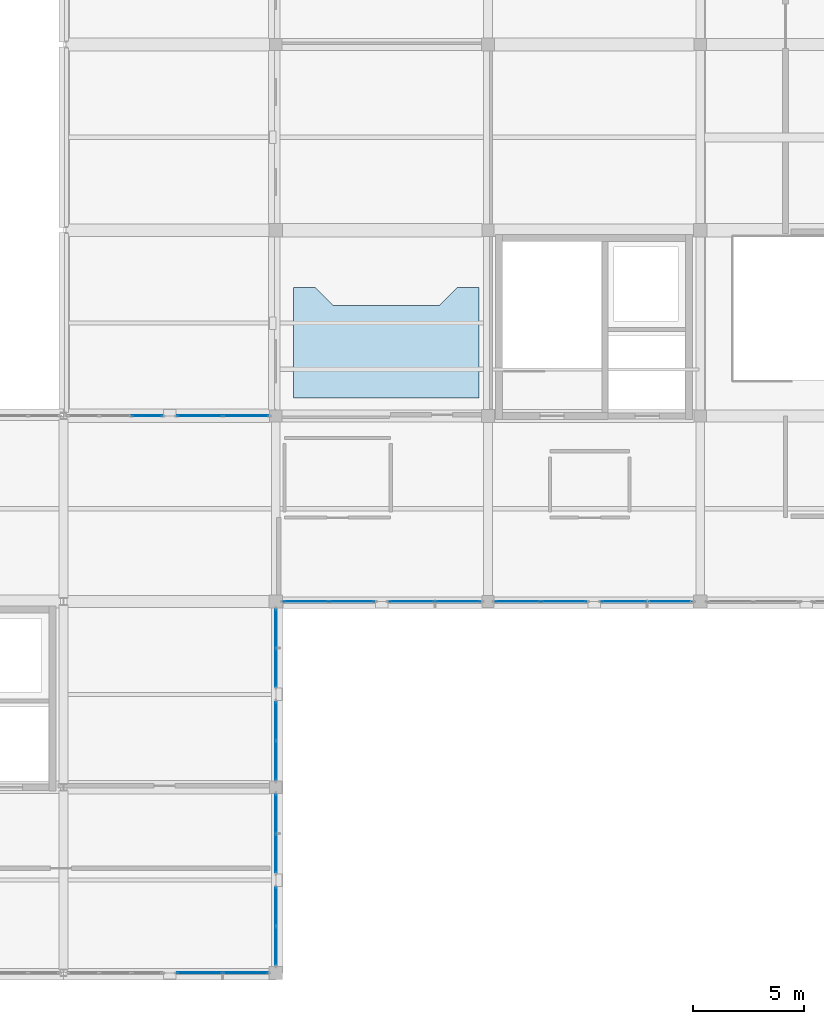
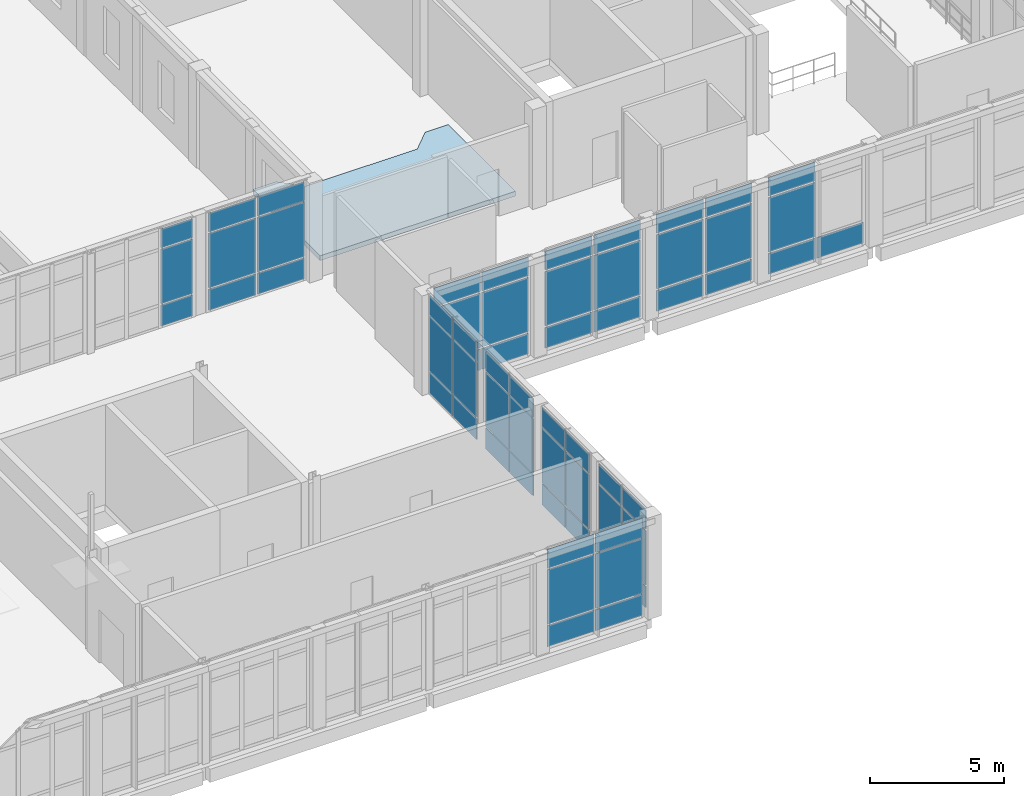
# One storey, part 63 of 88: 61 plates, 1 slab, 11 elements without a shape of their own.
"""IFC4 building model written with IfcOpenShell, lengths in metres."""

import ifcopenshell
import ifcopenshell.guid

model = None  # the IFC model being written
_history = None  # IfcOwnerHistory: only IFC2X3 demands one
_inside = {}  # id of a spatial element -> (the spatial element, [elements in it])
_under = {}  # id of a project, library or spatial element -> (it, [spatial elements below it])
_declared = {}  # id of a project -> (the project, [libraries it declares])
_typed = {}  # id of a type object -> (the type object, [elements of that type])
_made_of = {}  # id of a material, layer set ... -> (it, [elements and type objects made of it])


def new_model(schema):
    """Start an empty IFC model of exactly this schema.

    Asked for "IFC4X3", IfcOpenShell would pick the latest addendum, in which some entities
    have other attributes; the version numbers below select the first issue.
    IFC2X3 requires an IfcOwnerHistory on every rooted entity: one is made here for all.
    """
    global model, _history
    if schema == "IFC4X3":
        model = ifcopenshell.file(schema_version=(4, 3, 0, 0))
    else:
        model = ifcopenshell.file(schema=schema)
    _inside.clear()
    _under.clear()
    _declared.clear()
    _typed.clear()
    _made_of.clear()
    _history = None
    if model.schema == "IFC2X3":
        org = make("IfcOrganization", Name="unknown")
        user = make(
            "IfcPersonAndOrganization",
            ThePerson=make("IfcPerson", FamilyName="unknown"),
            TheOrganization=org,
        )
        app = make(
            "IfcApplication",
            ApplicationDeveloper=org,
            Version="unknown",
            ApplicationFullName="unknown",
            ApplicationIdentifier="unknown",
        )
        _history = make(
            "IfcOwnerHistory",
            OwningUser=user,
            OwningApplication=app,
            ChangeAction="ADDED",
            CreationDate=0,
        )
    return model


def make(cls, **values):
    """One entity of the class cls with the attributes given. An attribute that is None is left unset."""
    return model.create_entity(
        cls, **{name: value for name, value in values.items() if value is not None}
    )


def rooted(cls, **values):
    """An entity with a GlobalId (a new one), such as an element, a storey or a relation."""
    return make(cls, GlobalId=ifcopenshell.guid.new(), OwnerHistory=_history, **values)


def si_unit(unit_type, name, prefix=None):
    """IfcSIUnit, for example si_unit("LENGTHUNIT", "METRE", prefix="MILLI")."""
    return make("IfcSIUnit", UnitType=unit_type, Prefix=prefix, Name=name)


def assignment(units):
    """IfcUnitAssignment: the units of a project."""
    return None if units is None else make("IfcUnitAssignment", Units=units)


def point(xyz):
    """IfcCartesianPoint."""
    return None if xyz is None else make("IfcCartesianPoint", Coordinates=xyz)


def direction(xyz):
    """IfcDirection."""
    return None if xyz is None else make("IfcDirection", DirectionRatios=xyz)


def frame(location, z_axis=None, x_axis=None):
    """IfcAxis2Placement3D, a coordinate frame: its origin and axes. An axis left out is left unset."""
    return make(
        "IfcAxis2Placement3D",
        Location=point(location),
        Axis=direction(z_axis),
        RefDirection=direction(x_axis),
    )


def frame_2d(location, x_axis=None):
    """IfcAxis2Placement2D, a coordinate frame in the plane: its origin and x axis."""
    return make(
        "IfcAxis2Placement2D", Location=point(location), RefDirection=direction(x_axis)
    )


def origin():
    """The frame at (0, 0, 0) with its axes left unset."""
    return frame((0.0, 0.0, 0.0))


def origin_2d():
    """The frame at (0, 0) in the plane with its x axis left unset."""
    return frame_2d((0.0, 0.0))


def place(relative_to, where):
    """IfcLocalPlacement: puts the frame where relative to a parent placement (None: the world)."""
    return make(
        "IfcLocalPlacement", PlacementRelTo=relative_to, RelativePlacement=where
    )


def context(
    kind, dimensions, precision=None, world=None, true_north=None, identifier=None
):
    """IfcGeometricRepresentationContext, for example the 3D "Model" context."""
    return make(
        "IfcGeometricRepresentationContext",
        ContextIdentifier=identifier,
        ContextType=kind,
        CoordinateSpaceDimension=dimensions,
        Precision=precision,
        WorldCoordinateSystem=world,
        TrueNorth=true_north,
    )


def subcontext(parent, identifier, kind, view, scale=None):
    """IfcGeometricRepresentationSubContext, for example "Body" below "Model"."""
    return make(
        "IfcGeometricRepresentationSubContext",
        ContextIdentifier=identifier,
        ContextType=kind,
        ParentContext=parent,
        TargetScale=scale,
        TargetView=view,
    )


def project(units=None, contexts=None):
    """IfcProject with its units and contexts."""
    return rooted(
        "IfcProject",
        Name="project",
        RepresentationContexts=contexts,
        UnitsInContext=assignment(units),
    )


def spatial(cls, under=None, at=None, **own):
    """A site, building, storey or space (cls), placed at a placement, below another one or the project."""
    s = rooted(cls, ObjectPlacement=at, **own)
    if under is not None:
        _under.setdefault(under.id(), (under, []))[1].append(s)
    return s


def polyline(points):
    """IfcPolyline through the points."""
    return make("IfcPolyline", Points=[point(p) for p in points])


def profile(cls, at=None, kind="AREA", **sizes):
    """A parametric profile (cls). Its sizes go by their IFC names, for example OverallWidth=200.0."""
    return make(cls, ProfileType=kind, Position=at, **sizes)


def rectangle(**sizes):
    """IfcRectangleProfileDef."""
    return profile("IfcRectangleProfileDef", **sizes)


def outline(outer, holes=None, kind="AREA"):
    """IfcArbitraryClosedProfileDef: a profile drawn as a closed curve; with holes, ...WithVoids."""
    if holes is None:
        return make("IfcArbitraryClosedProfileDef", ProfileType=kind, OuterCurve=outer)
    return make(
        "IfcArbitraryProfileDefWithVoids",
        ProfileType=kind,
        OuterCurve=outer,
        InnerCurves=holes,
    )


def extrude(swept, where, along, depth):
    """IfcExtrudedAreaSolid: the profile swept, set in the frame where, extruded along a direction by depth."""
    return make(
        "IfcExtrudedAreaSolid",
        SweptArea=swept,
        Position=where,
        ExtrudedDirection=direction(along),
        Depth=depth,
    )


def shape(context_of_items, identifier, shape_type, items):
    """IfcShapeRepresentation: the items that make up one representation, for example the "Body"."""
    return make(
        "IfcShapeRepresentation",
        ContextOfItems=context_of_items,
        RepresentationIdentifier=identifier,
        RepresentationType=shape_type,
        Items=items,
    )


def material(Name=None, Category=None):
    """IfcMaterial."""
    return make("IfcMaterial", Name=Name, Category=Category)


def layer(
    of_material, thickness, ventilated=None, Name=None, Category=None, Priority=None
):
    """IfcMaterialLayer: one layer of a wall or slab, of a material (None: an air gap)."""
    return make(
        "IfcMaterialLayer",
        Material=of_material,
        LayerThickness=thickness,
        IsVentilated=ventilated,
        Name=Name,
        Category=Category,
        Priority=Priority,
    )


def layer_set(layers, Name=None):
    """IfcMaterialLayerSet."""
    return make("IfcMaterialLayerSet", MaterialLayers=layers, LayerSetName=Name)


def made_of(thing, what):
    """Note that an element or type object is made of a material, layer set ...; save() writes the relation."""
    if what is not None:
        _made_of.setdefault(what.id(), (what, []))[1].append(thing)
    return thing


def type_object(cls, material=None, **own):
    """A type object (cls), such as IfcWallType, which elements share."""
    return made_of(rooted(cls, **own), material)


def element(
    cls,
    number,
    at=None,
    inside=None,
    cuts=None,
    type_object=None,
    material=None,
    context=None,
    identifier="Body",
    shape_type=None,
    held_by="IfcProductDefinitionShape",
    body=None,
    shapes=None,
    **own,
):
    """One element of the class cls, such as IfcWall. Its Tag is "e" and its number.

    at: its placement. inside: the storey or other place that contains it. cuts: it is an
    opening in that element (IfcRelVoidsElement). A single representation is given by context,
    identifier, shape_type and body (its items); several are given by shapes. held_by: the class
    of the entity that holds the representations. save() writes the other relations.
    """
    e = rooted(cls, Tag="e%d" % number, ObjectPlacement=at, **own)
    if body is not None:
        shapes = [shape(context, identifier, shape_type, body)]
    if shapes is not None:
        e.Representation = make(held_by, Representations=shapes)
    if inside is not None:
        _inside.setdefault(inside.id(), (inside, []))[1].append(e)
    if cuts is not None:
        rooted(
            "IfcRelVoidsElement", RelatingBuildingElement=cuts, RelatedOpeningElement=e
        )
    if type_object is not None:
        _typed.setdefault(type_object.id(), (type_object, []))[1].append(e)
    return made_of(e, material)


def aggregate(whole, parts):
    """IfcRelAggregates: a whole, such as a stair, and the parts it consists of."""
    return rooted("IfcRelAggregates", RelatingObject=whole, RelatedObjects=parts)


def save(model, path):
    """Write the relations noted so far, then the file.

    IfcRelAggregates (storeys below a building ...), IfcRelContainedInSpatialStructure (elements
    in a storey), IfcRelDefinesByType, IfcRelAssociatesMaterial and IfcRelDeclares: one each for
    every whole, place, type object, material and project.
    """
    for whole, parts in _under.values():
        aggregate(whole, parts)
    for where, things in _inside.values():
        rooted(
            "IfcRelContainedInSpatialStructure",
            RelatedElements=things,
            RelatingStructure=where,
        )
    for kind, things in _typed.values():
        rooted("IfcRelDefinesByType", RelatedObjects=things, RelatingType=kind)
    for what, things in _made_of.values():
        rooted("IfcRelAssociatesMaterial", RelatedObjects=things, RelatingMaterial=what)
    for by, libraries in _declared.values():
        rooted("IfcRelDeclares", RelatingContext=by, RelatedDefinitions=libraries)
    model.write(path)


model = new_model("IFC4")

# Units and contexts
model_context = context("Model", 3, precision=1e-05, world=origin(), true_north=direction((0.0, 1.0)))
body_context = subcontext(model_context, "Body", "Model", "MODEL_VIEW")
ifc_project = project(units=[si_unit("LENGTHUNIT", "METRE"), si_unit("AREAUNIT", "SQUARE_METRE"), si_unit("VOLUMEUNIT", "CUBIC_METRE"), si_unit("PLANEANGLEUNIT", "RADIAN"), si_unit("MASSUNIT", "GRAM", prefix="KILO")], contexts=[model_context])

# Site, building, storey
site_placement = place(None, origin())
site = spatial("IfcSite", under=ifc_project, at=site_placement, CompositionType="ELEMENT")
building_placement = place(site_placement, origin())
building = spatial("IfcBuilding", under=site, at=building_placement, Name="Lornevale Opera House", CompositionType="ELEMENT")
storey_placement = place(building_placement, frame((0.0, 0.0, 10.199951171875)))
storey = spatial("IfcBuildingStorey", under=building, at=storey_placement, Name="L03", CompositionType="ELEMENT", Elevation=10.199951171875)

# Curtain wall, plates
ifc_material_1 = material(Name="Anodized Oxide-Green Aluminium Framing", Category="aluminium")
ifc_layer_1 = layer(ifc_material_1, 0.175048828125)
ifc_layer_set_1 = layer_set([ifc_layer_1], Name="Anodized Oxide-Green Aluminium Framing")
curtain_wall_type_1 = type_object("IfcCurtainWallType", Name="Chamber Cloister Curtain Wall M1700", PredefinedType="NOTDEFINED", material=ifc_layer_set_1)
curtain_wall_1_placement = place(storey_placement, origin())
curtain_wall_1 = element("IfcCurtainWall", 1, at=curtain_wall_1_placement, inside=storey, type_object=curtain_wall_type_1, Name="Chamber Cloister Curtain Wall M1700 CW-116", PredefinedType="NOTDEFINED")
ifc_material_2 = material(Name="Triple Low-E Insulated Glazing", Category="glass")
ifc_layer_2 = layer(ifc_material_2, 0.0419921875)
ifc_layer_set_2 = layer_set([ifc_layer_2], Name="Triple Low-E Insulated Glazing")
plate_type_1 = type_object("IfcPlateType", Name="Ceramic Fritted Bird-Safe Panel 42", PredefinedType="CURTAIN_PANEL", material=ifc_layer_set_2)
plate_1_placement = place(storey_placement, frame((37.03173828125, 0.0, 0.06494140625), z_axis=(0.0, 0.0, 1.0), x_axis=(-1.0, 0.0, 0.0)))
plate_1 = element("IfcPlate", 2, at=plate_1_placement, type_object=plate_type_1, Name="Ceramic Fritted Bird-Safe Panel 42 CW2427", PredefinedType="CURTAIN_PANEL", context=body_context, shape_type="SweptSolid", body=[
    extrude(rectangle(XDim=2.014404296875, YDim=0.0419921875, at=origin_2d()), origin(), (0.0, 0.0, 1.0), 0.952392578125),
])
plate_2_placement = place(storey_placement, frame((37.03173828125, 0.0, 1.08251953125), z_axis=(0.0, 0.0, 1.0), x_axis=(-1.0, 0.0, 0.0)))
plate_2 = element("IfcPlate", 3, at=plate_2_placement, type_object=plate_type_1, Name="Ceramic Fritted Bird-Safe Panel 42 CW2428", PredefinedType="CURTAIN_PANEL", context=body_context, shape_type="SweptSolid", body=[
    extrude(rectangle(XDim=2.014404296875, YDim=0.0419921875, at=origin_2d()), origin(), (0.0, 0.0, 1.0), 2.47509765625),
])
plate_3_placement = place(storey_placement, frame((37.03173828125, 0.0, 3.62255859375), z_axis=(0.0, 0.0, 1.0), x_axis=(-1.0, 0.0, 0.0)))
plate_3 = element("IfcPlate", 4, at=plate_3_placement, type_object=plate_type_1, Name="Ceramic Fritted Bird-Safe Panel 42 CW2429", PredefinedType="CURTAIN_PANEL", context=body_context, shape_type="SweptSolid", body=[
    extrude(rectangle(XDim=2.014404296875, YDim=0.0419921875, at=origin_2d()), origin(), (0.0, 0.0, 1.0), 0.8525390625),
])
plate_4_placement = place(storey_placement, frame((34.9521484375, 0.0, 0.06494140625), z_axis=(0.0, 0.0, 1.0), x_axis=(-1.0, 0.0, 0.0)))
plate_4 = element("IfcPlate", 5, at=plate_4_placement, type_object=plate_type_1, Name="Ceramic Fritted Bird-Safe Panel 42 CW2434", PredefinedType="CURTAIN_PANEL", context=body_context, shape_type="SweptSolid", body=[
    extrude(rectangle(XDim=2.014404296875, YDim=0.0419921875, at=origin_2d()), origin(), (0.0, 0.0, 1.0), 0.952392578125),
])
plate_5_placement = place(storey_placement, frame((34.9521484375, 0.0, 1.08251953125), z_axis=(0.0, 0.0, 1.0), x_axis=(-1.0, 0.0, 0.0)))
plate_5 = element("IfcPlate", 6, at=plate_5_placement, type_object=plate_type_1, Name="Ceramic Fritted Bird-Safe Panel 42 CW2435", PredefinedType="CURTAIN_PANEL", context=body_context, shape_type="SweptSolid", body=[
    extrude(rectangle(XDim=2.014404296875, YDim=0.0419921875, at=origin_2d()), origin(), (0.0, 0.0, 1.0), 2.47509765625),
])
plate_6_placement = place(storey_placement, frame((34.9521484375, 0.0, 3.62255859375), z_axis=(0.0, 0.0, 1.0), x_axis=(-1.0, 0.0, 0.0)))
plate_6 = element("IfcPlate", 7, at=plate_6_placement, type_object=plate_type_1, Name="Ceramic Fritted Bird-Safe Panel 42 CW2436", PredefinedType="CURTAIN_PANEL", context=body_context, shape_type="SweptSolid", body=[
    extrude(rectangle(XDim=2.014404296875, YDim=0.0419921875, at=origin_2d()), origin(), (0.0, 0.0, 1.0), 0.8525390625),
])
aggregate(curtain_wall_1, [plate_1, plate_2, plate_3, plate_4, plate_5, plate_6])

curtain_wall_2_placement = place(storey_placement, origin())
curtain_wall_2 = element("IfcCurtainWall", 8, at=curtain_wall_2_placement, inside=storey, type_object=curtain_wall_type_1, Name="Chamber Cloister Curtain Wall M1700 CW-118", PredefinedType="NOTDEFINED")
plate_7_placement = place(storey_placement, frame((38.39990234375, 7.200439453125, 0.06494140625), z_axis=(0.0, 0.0, 1.0), x_axis=(0.0, -1.0, 0.0)))
plate_7 = element("IfcPlate", 9, at=plate_7_placement, type_object=plate_type_1, Name="Ceramic Fritted Bird-Safe Panel 42 CW2469", PredefinedType="CURTAIN_PANEL", context=body_context, shape_type="SweptSolid", body=[
    extrude(rectangle(XDim=1.72705078125, YDim=0.0419921875, at=origin_2d()), origin(), (0.0, 0.0, 1.0), 0.952392578125),
])
plate_8_placement = place(storey_placement, frame((38.39990234375, 7.200439453125, 1.08251953125), z_axis=(0.0, 0.0, 1.0), x_axis=(0.0, -1.0, 0.0)))
plate_8 = element("IfcPlate", 10, at=plate_8_placement, type_object=plate_type_1, Name="Ceramic Fritted Bird-Safe Panel 42 CW2470", PredefinedType="CURTAIN_PANEL", context=body_context, shape_type="SweptSolid", body=[
    extrude(rectangle(XDim=1.72705078125, YDim=0.0419921875, at=origin_2d()), origin(), (0.0, 0.0, 1.0), 2.47509765625),
])
plate_9_placement = place(storey_placement, frame((38.39990234375, 7.200439453125, 3.62255859375), z_axis=(0.0, 0.0, 1.0), x_axis=(0.0, -1.0, 0.0)))
plate_9 = element("IfcPlate", 11, at=plate_9_placement, type_object=plate_type_1, Name="Ceramic Fritted Bird-Safe Panel 42 CW2471", PredefinedType="CURTAIN_PANEL", context=body_context, shape_type="SweptSolid", body=[
    extrude(rectangle(XDim=1.72705078125, YDim=0.0419921875, at=origin_2d()), origin(), (0.0, 0.0, 1.0), 0.8525390625),
])
plate_10_placement = place(storey_placement, frame((38.39990234375, 5.408447265625, 0.06494140625), z_axis=(0.0, 0.0, 1.0), x_axis=(0.0, -1.0, 0.0)))
plate_10 = element("IfcPlate", 12, at=plate_10_placement, type_object=plate_type_1, Name="Ceramic Fritted Bird-Safe Panel 42 CW2476", PredefinedType="CURTAIN_PANEL", context=body_context, shape_type="SweptSolid", body=[
    extrude(rectangle(XDim=1.72705078125, YDim=0.0419921875, at=origin_2d()), origin(), (0.0, 0.0, 1.0), 0.952392578125),
])
plate_11_placement = place(storey_placement, frame((38.39990234375, 5.408447265625, 1.08251953125), z_axis=(0.0, 0.0, 1.0), x_axis=(0.0, -1.0, 0.0)))
plate_11 = element("IfcPlate", 13, at=plate_11_placement, type_object=plate_type_1, Name="Ceramic Fritted Bird-Safe Panel 42 CW2477", PredefinedType="CURTAIN_PANEL", context=body_context, shape_type="SweptSolid", body=[
    extrude(rectangle(XDim=1.72705078125, YDim=0.0419921875, at=origin_2d()), origin(), (0.0, 0.0, 1.0), 2.47509765625),
])
plate_12_placement = place(storey_placement, frame((38.39990234375, 5.408447265625, 3.62255859375), z_axis=(0.0, 0.0, 1.0), x_axis=(0.0, -1.0, 0.0)))
plate_12 = element("IfcPlate", 14, at=plate_12_placement, type_object=plate_type_1, Name="Ceramic Fritted Bird-Safe Panel 42 CW2478", PredefinedType="CURTAIN_PANEL", context=body_context, shape_type="SweptSolid", body=[
    extrude(rectangle(XDim=1.72705078125, YDim=0.0419921875, at=origin_2d()), origin(), (0.0, 0.0, 1.0), 0.8525390625),
])
aggregate(curtain_wall_2, [plate_7, plate_8, plate_9, plate_10, plate_11, plate_12])

curtain_wall_3_placement = place(storey_placement, origin())
curtain_wall_3 = element("IfcCurtainWall", 15, at=curtain_wall_3_placement, inside=storey, type_object=curtain_wall_type_1, Name="Chamber Cloister Curtain Wall M1700 CW-119", PredefinedType="NOTDEFINED")
plate_13_placement = place(storey_placement, frame((38.39990234375, 2.997802734375, 0.06494140625), z_axis=(0.0, 0.0, 1.0), x_axis=(0.0, -1.0, 0.0)))
plate_13 = element("IfcPlate", 16, at=plate_13_placement, type_object=plate_type_1, Name="Ceramic Fritted Bird-Safe Panel 42 CW2486", PredefinedType="CURTAIN_PANEL", context=body_context, shape_type="SweptSolid", body=[
    extrude(rectangle(XDim=1.714599609375, YDim=0.0419921875, at=origin_2d()), origin(), (0.0, 0.0, 1.0), 0.952392578125),
])
plate_14_placement = place(storey_placement, frame((38.39990234375, 2.997802734375, 1.08251953125), z_axis=(0.0, 0.0, 1.0), x_axis=(0.0, -1.0, 0.0)))
plate_14 = element("IfcPlate", 17, at=plate_14_placement, type_object=plate_type_1, Name="Ceramic Fritted Bird-Safe Panel 42 CW2487", PredefinedType="CURTAIN_PANEL", context=body_context, shape_type="SweptSolid", body=[
    extrude(rectangle(XDim=1.714599609375, YDim=0.0419921875, at=origin_2d()), origin(), (0.0, 0.0, 1.0), 2.47509765625),
])
plate_15_placement = place(storey_placement, frame((38.39990234375, 2.997802734375, 3.62255859375), z_axis=(0.0, 0.0, 1.0), x_axis=(0.0, -1.0, 0.0)))
plate_15 = element("IfcPlate", 18, at=plate_15_placement, type_object=plate_type_1, Name="Ceramic Fritted Bird-Safe Panel 42 CW2488", PredefinedType="CURTAIN_PANEL", context=body_context, shape_type="SweptSolid", body=[
    extrude(rectangle(XDim=1.714599609375, YDim=0.0419921875, at=origin_2d()), origin(), (0.0, 0.0, 1.0), 0.8525390625),
])
plate_16_placement = place(storey_placement, frame((38.39990234375, 1.21826171875, 0.06494140625), z_axis=(0.0, 0.0, 1.0), x_axis=(0.0, -1.0, 0.0)))
plate_16 = element("IfcPlate", 19, at=plate_16_placement, type_object=plate_type_1, Name="Ceramic Fritted Bird-Safe Panel 42 CW2493", PredefinedType="CURTAIN_PANEL", context=body_context, shape_type="SweptSolid", body=[
    extrude(rectangle(XDim=1.714599609375, YDim=0.0419921875, at=origin_2d()), origin(), (0.0, 0.0, 1.0), 0.952392578125),
])
plate_17_placement = place(storey_placement, frame((38.39990234375, 1.21826171875, 1.08251953125), z_axis=(0.0, 0.0, 1.0), x_axis=(0.0, -1.0, 0.0)))
plate_17 = element("IfcPlate", 20, at=plate_17_placement, type_object=plate_type_1, Name="Ceramic Fritted Bird-Safe Panel 42 CW2494", PredefinedType="CURTAIN_PANEL", context=body_context, shape_type="SweptSolid", body=[
    extrude(rectangle(XDim=1.714599609375, YDim=0.0419921875, at=origin_2d()), origin(), (0.0, 0.0, 1.0), 2.47509765625),
])
plate_18_placement = place(storey_placement, frame((38.39990234375, 1.21826171875, 3.62255859375), z_axis=(0.0, 0.0, 1.0), x_axis=(0.0, -1.0, 0.0)))
plate_18 = element("IfcPlate", 21, at=plate_18_placement, type_object=plate_type_1, Name="Ceramic Fritted Bird-Safe Panel 42 CW2495", PredefinedType="CURTAIN_PANEL", context=body_context, shape_type="SweptSolid", body=[
    extrude(rectangle(XDim=1.714599609375, YDim=0.0419921875, at=origin_2d()), origin(), (0.0, 0.0, 1.0), 0.8525390625),
])
aggregate(curtain_wall_3, [plate_13, plate_14, plate_15, plate_16, plate_17, plate_18])

curtain_wall_4_placement = place(storey_placement, origin())
curtain_wall_4 = element("IfcCurtainWall", 22, at=curtain_wall_4_placement, inside=storey, type_object=curtain_wall_type_1, Name="Chamber Cloister Curtain Wall M1700 CW-120", PredefinedType="NOTDEFINED")
plate_19_placement = place(storey_placement, frame((38.39990234375, 15.581787109375, 0.06494140625), z_axis=(0.0, 0.0, 1.0), x_axis=(0.0, -1.0, 0.0)))
plate_19 = element("IfcPlate", 23, at=plate_19_placement, type_object=plate_type_1, Name="Ceramic Fritted Bird-Safe Panel 42 CW2503", PredefinedType="CURTAIN_PANEL", context=body_context, shape_type="SweptSolid", body=[
    extrude(rectangle(XDim=1.714599609375, YDim=0.0419921875, at=origin_2d()), origin(), (0.0, 0.0, 1.0), 0.952392578125),
])
plate_20_placement = place(storey_placement, frame((38.39990234375, 15.581787109375, 1.08251953125), z_axis=(0.0, 0.0, 1.0), x_axis=(0.0, -1.0, 0.0)))
plate_20 = element("IfcPlate", 24, at=plate_20_placement, type_object=plate_type_1, Name="Ceramic Fritted Bird-Safe Panel 42 CW2504", PredefinedType="CURTAIN_PANEL", context=body_context, shape_type="SweptSolid", body=[
    extrude(rectangle(XDim=1.714599609375, YDim=0.0419921875, at=origin_2d()), origin(), (0.0, 0.0, 1.0), 2.47509765625),
])
plate_21_placement = place(storey_placement, frame((38.39990234375, 15.581787109375, 3.62255859375), z_axis=(0.0, 0.0, 1.0), x_axis=(0.0, -1.0, 0.0)))
plate_21 = element("IfcPlate", 25, at=plate_21_placement, type_object=plate_type_1, Name="Ceramic Fritted Bird-Safe Panel 42 CW2505", PredefinedType="CURTAIN_PANEL", context=body_context, shape_type="SweptSolid", body=[
    extrude(rectangle(XDim=1.714599609375, YDim=0.0419921875, at=origin_2d()), origin(), (0.0, 0.0, 1.0), 0.8525390625),
])
plate_22_placement = place(storey_placement, frame((38.39990234375, 13.80224609375, 0.06494140625), z_axis=(0.0, 0.0, 1.0), x_axis=(0.0, -1.0, 0.0)))
plate_22 = element("IfcPlate", 26, at=plate_22_placement, type_object=plate_type_1, Name="Ceramic Fritted Bird-Safe Panel 42 CW2510", PredefinedType="CURTAIN_PANEL", context=body_context, shape_type="SweptSolid", body=[
    extrude(rectangle(XDim=1.714599609375, YDim=0.0419921875, at=origin_2d()), origin(), (0.0, 0.0, 1.0), 0.952392578125),
])
plate_23_placement = place(storey_placement, frame((38.39990234375, 13.80224609375, 1.08251953125), z_axis=(0.0, 0.0, 1.0), x_axis=(0.0, -1.0, 0.0)))
plate_23 = element("IfcPlate", 27, at=plate_23_placement, type_object=plate_type_1, Name="Ceramic Fritted Bird-Safe Panel 42 CW2511", PredefinedType="CURTAIN_PANEL", context=body_context, shape_type="SweptSolid", body=[
    extrude(rectangle(XDim=1.714599609375, YDim=0.0419921875, at=origin_2d()), origin(), (0.0, 0.0, 1.0), 2.47509765625),
])
plate_24_placement = place(storey_placement, frame((38.39990234375, 13.80224609375, 3.62255859375), z_axis=(0.0, 0.0, 1.0), x_axis=(0.0, -1.0, 0.0)))
plate_24 = element("IfcPlate", 28, at=plate_24_placement, type_object=plate_type_1, Name="Ceramic Fritted Bird-Safe Panel 42 CW2512", PredefinedType="CURTAIN_PANEL", context=body_context, shape_type="SweptSolid", body=[
    extrude(rectangle(XDim=1.714599609375, YDim=0.0419921875, at=origin_2d()), origin(), (0.0, 0.0, 1.0), 0.8525390625),
])
aggregate(curtain_wall_4, [plate_19, plate_20, plate_21, plate_22, plate_23, plate_24])

curtain_wall_5_placement = place(storey_placement, origin())
curtain_wall_5 = element("IfcCurtainWall", 29, at=curtain_wall_5_placement, inside=storey, type_object=curtain_wall_type_1, Name="Chamber Cloister Curtain Wall M1700 CW-121", PredefinedType="NOTDEFINED")
plate_25_placement = place(storey_placement, frame((38.39990234375, 11.3916015625, 0.06494140625), z_axis=(0.0, 0.0, 1.0), x_axis=(0.0, -1.0, 0.0)))
plate_25 = element("IfcPlate", 30, at=plate_25_placement, type_object=plate_type_1, Name="Ceramic Fritted Bird-Safe Panel 42 CW2520", PredefinedType="CURTAIN_PANEL", context=body_context, shape_type="SweptSolid", body=[
    extrude(rectangle(XDim=1.72705078125, YDim=0.0419921875, at=origin_2d()), origin(), (0.0, 0.0, 1.0), 0.952392578125),
])
plate_26_placement = place(storey_placement, frame((38.39990234375, 11.3916015625, 1.08251953125), z_axis=(0.0, 0.0, 1.0), x_axis=(0.0, -1.0, 0.0)))
plate_26 = element("IfcPlate", 31, at=plate_26_placement, type_object=plate_type_1, Name="Ceramic Fritted Bird-Safe Panel 42 CW2521", PredefinedType="CURTAIN_PANEL", context=body_context, shape_type="SweptSolid", body=[
    extrude(rectangle(XDim=1.72705078125, YDim=0.0419921875, at=origin_2d()), origin(), (0.0, 0.0, 1.0), 2.47509765625),
])
plate_27_placement = place(storey_placement, frame((38.39990234375, 11.3916015625, 3.62255859375), z_axis=(0.0, 0.0, 1.0), x_axis=(0.0, -1.0, 0.0)))
plate_27 = element("IfcPlate", 32, at=plate_27_placement, type_object=plate_type_1, Name="Ceramic Fritted Bird-Safe Panel 42 CW2522", PredefinedType="CURTAIN_PANEL", context=body_context, shape_type="SweptSolid", body=[
    extrude(rectangle(XDim=1.72705078125, YDim=0.0419921875, at=origin_2d()), origin(), (0.0, 0.0, 1.0), 0.8525390625),
])
plate_28_placement = place(storey_placement, frame((38.39990234375, 9.599609375, 0.06494140625), z_axis=(0.0, 0.0, 1.0), x_axis=(0.0, -1.0, 0.0)))
plate_28 = element("IfcPlate", 33, at=plate_28_placement, type_object=plate_type_1, Name="Ceramic Fritted Bird-Safe Panel 42 CW2527", PredefinedType="CURTAIN_PANEL", context=body_context, shape_type="SweptSolid", body=[
    extrude(rectangle(XDim=1.72705078125, YDim=0.0419921875, at=origin_2d()), origin(), (0.0, 0.0, 1.0), 0.952392578125),
])
plate_29_placement = place(storey_placement, frame((38.39990234375, 9.599609375, 1.08251953125), z_axis=(0.0, 0.0, 1.0), x_axis=(0.0, -1.0, 0.0)))
plate_29 = element("IfcPlate", 34, at=plate_29_placement, type_object=plate_type_1, Name="Ceramic Fritted Bird-Safe Panel 42 CW2528", PredefinedType="CURTAIN_PANEL", context=body_context, shape_type="SweptSolid", body=[
    extrude(rectangle(XDim=1.72705078125, YDim=0.0419921875, at=origin_2d()), origin(), (0.0, 0.0, 1.0), 2.47509765625),
])
plate_30_placement = place(storey_placement, frame((38.39990234375, 9.599609375, 3.62255859375), z_axis=(0.0, 0.0, 1.0), x_axis=(0.0, -1.0, 0.0)))
plate_30 = element("IfcPlate", 35, at=plate_30_placement, type_object=plate_type_1, Name="Ceramic Fritted Bird-Safe Panel 42 CW2529", PredefinedType="CURTAIN_PANEL", context=body_context, shape_type="SweptSolid", body=[
    extrude(rectangle(XDim=1.72705078125, YDim=0.0419921875, at=origin_2d()), origin(), (0.0, 0.0, 1.0), 0.8525390625),
])
aggregate(curtain_wall_5, [plate_25, plate_26, plate_27, plate_28, plate_29, plate_30])

curtain_wall_6_placement = place(storey_placement, origin())
curtain_wall_6 = element("IfcCurtainWall", 36, at=curtain_wall_6_placement, inside=storey, type_object=curtain_wall_type_1, Name="Chamber Cloister Curtain Wall M1700 CW-122", PredefinedType="NOTDEFINED")
plate_31_placement = place(storey_placement, frame((32.575439453125, 25.199951171875, 0.06494140625), z_axis=(0.0, 0.0, 1.0), x_axis=(1.0, 0.0, 0.0)))
plate_31 = element("IfcPlate", 37, at=plate_31_placement, type_object=plate_type_1, Name="Ceramic Fritted Bird-Safe Panel 42 CW2552", PredefinedType="CURTAIN_PANEL", context=body_context, shape_type="SweptSolid", body=[
    extrude(rectangle(XDim=1.35888671875, YDim=0.0419921875, at=origin_2d()), origin(), (0.0, 0.0, 1.0), 0.952392578125),
])
plate_32_placement = place(storey_placement, frame((32.575439453125, 25.199951171875, 1.08251953125), z_axis=(0.0, 0.0, 1.0), x_axis=(1.0, 0.0, 0.0)))
plate_32 = element("IfcPlate", 38, at=plate_32_placement, type_object=plate_type_1, Name="Ceramic Fritted Bird-Safe Panel 42 CW2553", PredefinedType="CURTAIN_PANEL", context=body_context, shape_type="SweptSolid", body=[
    extrude(rectangle(XDim=1.35888671875, YDim=0.0419921875, at=origin_2d()), origin(), (0.0, 0.0, 1.0), 2.47509765625),
])
plate_33_placement = place(storey_placement, frame((32.575439453125, 25.199951171875, 3.62255859375), z_axis=(0.0, 0.0, 1.0), x_axis=(1.0, 0.0, 0.0)))
plate_33 = element("IfcPlate", 39, at=plate_33_placement, type_object=plate_type_1, Name="Ceramic Fritted Bird-Safe Panel 42 CW2554", PredefinedType="CURTAIN_PANEL", context=body_context, shape_type="SweptSolid", body=[
    extrude(rectangle(XDim=1.35888671875, YDim=0.0419921875, at=origin_2d()), origin(), (0.0, 0.0, 1.0), 0.8525390625),
])
aggregate(curtain_wall_6, [plate_31, plate_32, plate_33])

curtain_wall_7_placement = place(storey_placement, origin())
curtain_wall_7 = element("IfcCurtainWall", 40, at=curtain_wall_7_placement, inside=storey, type_object=curtain_wall_type_1, Name="Chamber Cloister Curtain Wall M1700 CW-123", PredefinedType="NOTDEFINED")
plate_34_placement = place(storey_placement, frame((34.95849609375, 25.199951171875, 0.06494140625), z_axis=(0.0, 0.0, 1.0), x_axis=(1.0, 0.0, 0.0)))
plate_34 = element("IfcPlate", 41, at=plate_34_placement, type_object=plate_type_1, Name="Ceramic Fritted Bird-Safe Panel 42 CW2562", PredefinedType="CURTAIN_PANEL", context=body_context, shape_type="SweptSolid", body=[
    extrude(rectangle(XDim=2.027099609375, YDim=0.0419921875, at=origin_2d()), origin(), (0.0, 0.0, 1.0), 0.952392578125),
])
plate_35_placement = place(storey_placement, frame((34.95849609375, 25.199951171875, 1.08251953125), z_axis=(0.0, 0.0, 1.0), x_axis=(1.0, 0.0, 0.0)))
plate_35 = element("IfcPlate", 42, at=plate_35_placement, type_object=plate_type_1, Name="Ceramic Fritted Bird-Safe Panel 42 CW2563", PredefinedType="CURTAIN_PANEL", context=body_context, shape_type="SweptSolid", body=[
    extrude(rectangle(XDim=2.027099609375, YDim=0.0419921875, at=origin_2d()), origin(), (0.0, 0.0, 1.0), 2.47509765625),
])
plate_36_placement = place(storey_placement, frame((34.95849609375, 25.199951171875, 3.62255859375), z_axis=(0.0, 0.0, 1.0), x_axis=(1.0, 0.0, 0.0)))
plate_36 = element("IfcPlate", 43, at=plate_36_placement, type_object=plate_type_1, Name="Ceramic Fritted Bird-Safe Panel 42 CW2564", PredefinedType="CURTAIN_PANEL", context=body_context, shape_type="SweptSolid", body=[
    extrude(rectangle(XDim=2.027099609375, YDim=0.0419921875, at=origin_2d()), origin(), (0.0, 0.0, 1.0), 0.8525390625),
])
plate_37_placement = place(storey_placement, frame((37.050537109375, 25.199951171875, 0.06494140625), z_axis=(0.0, 0.0, 1.0), x_axis=(1.0, 0.0, 0.0)))
plate_37 = element("IfcPlate", 44, at=plate_37_placement, type_object=plate_type_1, Name="Ceramic Fritted Bird-Safe Panel 42 CW2569", PredefinedType="CURTAIN_PANEL", context=body_context, shape_type="SweptSolid", body=[
    extrude(rectangle(XDim=2.027099609375, YDim=0.0419921875, at=origin_2d()), origin(), (0.0, 0.0, 1.0), 0.952392578125),
])
plate_38_placement = place(storey_placement, frame((37.050537109375, 25.199951171875, 1.08251953125), z_axis=(0.0, 0.0, 1.0), x_axis=(1.0, 0.0, 0.0)))
plate_38 = element("IfcPlate", 45, at=plate_38_placement, type_object=plate_type_1, Name="Ceramic Fritted Bird-Safe Panel 42 CW2570", PredefinedType="CURTAIN_PANEL", context=body_context, shape_type="SweptSolid", body=[
    extrude(rectangle(XDim=2.027099609375, YDim=0.0419921875, at=origin_2d()), origin(), (0.0, 0.0, 1.0), 2.47509765625),
])
plate_39_placement = place(storey_placement, frame((37.050537109375, 25.199951171875, 3.62255859375), z_axis=(0.0, 0.0, 1.0), x_axis=(1.0, 0.0, 0.0)))
plate_39 = element("IfcPlate", 46, at=plate_39_placement, type_object=plate_type_1, Name="Ceramic Fritted Bird-Safe Panel 42 CW2571", PredefinedType="CURTAIN_PANEL", context=body_context, shape_type="SweptSolid", body=[
    extrude(rectangle(XDim=2.027099609375, YDim=0.0419921875, at=origin_2d()), origin(), (0.0, 0.0, 1.0), 0.8525390625),
])
aggregate(curtain_wall_7, [plate_34, plate_35, plate_36, plate_37, plate_38, plate_39])

# Slab
ifc_material_3 = material(Name="Concrete 35 MPa (CSA A23.1 N)", Category="concrete")
ifc_layer_3 = layer(ifc_material_3, 0.2099609375)
ifc_layer_set_3 = layer_set([ifc_layer_3], Name="Concrete 35 MPa (CSA A23.1 N)")
slab_type = type_object("IfcSlabType", Name="Raked Seating Tier Platform 210", PredefinedType="USERDEFINED", material=ifc_layer_set_3)
slab_placement = place(storey_placement, frame((0.0, 0.0, -0.010009765625)))
element("IfcSlab", 47, at=slab_placement, inside=storey, type_object=slab_type, Name="Raked Seating Tier Platform 210 SL-107", ObjectType="SEATING TIER", PredefinedType="USERDEFINED", context=body_context, shape_type="SweptSolid", body=[
    extrude(outline(polyline([(39.199951171875, 26.0), (47.60009765625, 26.0), (47.60009765625, 31.0), (46.60009765625, 31.0), (45.800048828125, 30.199951171875), (41.0, 30.199951171875), (40.199951171875, 31.0), (39.199951171875, 31.0), (39.199951171875, 26.0)])), origin(), (0.0, 0.0, 1.0), 0.219970703125),
])

# Curtain wall, plates
ifc_layer_4 = layer(ifc_material_1, 0.219970703125)
ifc_layer_set_4 = layer_set([ifc_layer_4], Name="Anodized Oxide-Green Aluminium Framing")
curtain_wall_type_2 = type_object("IfcCurtainWallType", Name="Winter-Garden Curtain Wall M1900", PredefinedType="NOTDEFINED", material=ifc_layer_set_4)
curtain_wall_8_placement = place(storey_placement, origin())
curtain_wall_8 = element("IfcCurtainWall", 48, at=curtain_wall_8_placement, inside=storey, type_object=curtain_wall_type_2, Name="Winter-Garden Curtain Wall M1900 CW-130", PredefinedType="NOTDEFINED")
ifc_layer_5 = layer(ifc_material_2, 0.0380859375)
ifc_layer_set_5 = layer_set([ifc_layer_5], Name="Triple Low-E Insulated Glazing")
plate_type_2 = type_object("IfcPlateType", Name="Triple Low-E Vision Panel 38", PredefinedType="CURTAIN_PANEL", material=ifc_layer_set_5)
plate_40_placement = place(storey_placement, frame((46.64794921875, 16.800048828125, 0.0751953125), z_axis=(0.0, 0.0, 1.0), x_axis=(-1.0, 0.0, 0.0)))
plate_40 = element("IfcPlate", 49, at=plate_40_placement, type_object=plate_type_2, Name="Triple Low-E Vision Panel 38 CW2697", PredefinedType="CURTAIN_PANEL", context=body_context, shape_type="SweptSolid", body=[
    extrude(rectangle(XDim=2.011962890625, YDim=0.0380859375, at=origin_2d()), origin(), (0.0, 0.0, 1.0), 0.9375),
])
plate_41_placement = place(storey_placement, frame((46.64794921875, 16.800048828125, 1.08740234375), z_axis=(0.0, 0.0, 1.0), x_axis=(-1.0, 0.0, 0.0)))
plate_41 = element("IfcPlate", 50, at=plate_41_placement, type_object=plate_type_2, Name="Triple Low-E Vision Panel 38 CW2698", PredefinedType="CURTAIN_PANEL", context=body_context, shape_type="SweptSolid", body=[
    extrude(rectangle(XDim=2.011962890625, YDim=0.0380859375, at=origin_2d()), origin(), (0.0, 0.0, 1.0), 2.465087890625),
])
plate_42_placement = place(storey_placement, frame((46.64794921875, 16.800048828125, 3.62744140625), z_axis=(0.0, 0.0, 1.0), x_axis=(-1.0, 0.0, 0.0)))
plate_42 = element("IfcPlate", 51, at=plate_42_placement, type_object=plate_type_2, Name="Triple Low-E Vision Panel 38 CW2699", PredefinedType="CURTAIN_PANEL", context=body_context, shape_type="SweptSolid", body=[
    extrude(rectangle(XDim=2.011962890625, YDim=0.0380859375, at=origin_2d()), origin(), (0.0, 0.0, 1.0), 0.83740234375),
])
plate_43_placement = place(storey_placement, frame((44.56103515625, 16.800048828125, 0.0751953125), z_axis=(0.0, 0.0, 1.0), x_axis=(-1.0, 0.0, 0.0)))
plate_43 = element("IfcPlate", 52, at=plate_43_placement, type_object=plate_type_2, Name="Triple Low-E Vision Panel 38 CW2704", PredefinedType="CURTAIN_PANEL", context=body_context, shape_type="SweptSolid", body=[
    extrude(rectangle(XDim=2.011962890625, YDim=0.0380859375, at=origin_2d()), origin(), (0.0, 0.0, 1.0), 0.9375),
])
plate_44_placement = place(storey_placement, frame((44.56103515625, 16.800048828125, 1.08740234375), z_axis=(0.0, 0.0, 1.0), x_axis=(-1.0, 0.0, 0.0)))
plate_44 = element("IfcPlate", 53, at=plate_44_placement, type_object=plate_type_2, Name="Triple Low-E Vision Panel 38 CW2705", PredefinedType="CURTAIN_PANEL", context=body_context, shape_type="SweptSolid", body=[
    extrude(rectangle(XDim=2.011962890625, YDim=0.0380859375, at=origin_2d()), origin(), (0.0, 0.0, 1.0), 2.465087890625),
])
plate_45_placement = place(storey_placement, frame((44.56103515625, 16.800048828125, 3.62744140625), z_axis=(0.0, 0.0, 1.0), x_axis=(-1.0, 0.0, 0.0)))
plate_45 = element("IfcPlate", 54, at=plate_45_placement, type_object=plate_type_2, Name="Triple Low-E Vision Panel 38 CW2706", PredefinedType="CURTAIN_PANEL", context=body_context, shape_type="SweptSolid", body=[
    extrude(rectangle(XDim=2.011962890625, YDim=0.0380859375, at=origin_2d()), origin(), (0.0, 0.0, 1.0), 0.83740234375),
])
aggregate(curtain_wall_8, [plate_40, plate_41, plate_42, plate_43, plate_44, plate_45])

curtain_wall_9_placement = place(storey_placement, origin())
curtain_wall_9 = element("IfcCurtainWall", 55, at=curtain_wall_9_placement, inside=storey, type_object=curtain_wall_type_2, Name="Winter-Garden Curtain Wall M1900 CW-131", PredefinedType="NOTDEFINED")
plate_46_placement = place(storey_placement, frame((41.84521484375, 16.800048828125, 0.0751953125), z_axis=(0.0, 0.0, 1.0), x_axis=(-1.0, 0.0, 0.0)))
plate_46 = element("IfcPlate", 56, at=plate_46_placement, type_object=plate_type_2, Name="Triple Low-E Vision Panel 38 CW2714", PredefinedType="CURTAIN_PANEL", context=body_context, shape_type="SweptSolid", body=[
    extrude(rectangle(XDim=1.99951171875, YDim=0.0380859375, at=origin_2d()), origin(), (0.0, 0.0, 1.0), 0.9375),
])
plate_47_placement = place(storey_placement, frame((41.84521484375, 16.800048828125, 1.08740234375), z_axis=(0.0, 0.0, 1.0), x_axis=(-1.0, 0.0, 0.0)))
plate_47 = element("IfcPlate", 57, at=plate_47_placement, type_object=plate_type_2, Name="Triple Low-E Vision Panel 38 CW2715", PredefinedType="CURTAIN_PANEL", context=body_context, shape_type="SweptSolid", body=[
    extrude(rectangle(XDim=1.99951171875, YDim=0.0380859375, at=origin_2d()), origin(), (0.0, 0.0, 1.0), 2.465087890625),
])
plate_48_placement = place(storey_placement, frame((41.84521484375, 16.800048828125, 3.62744140625), z_axis=(0.0, 0.0, 1.0), x_axis=(-1.0, 0.0, 0.0)))
plate_48 = element("IfcPlate", 58, at=plate_48_placement, type_object=plate_type_2, Name="Triple Low-E Vision Panel 38 CW2716", PredefinedType="CURTAIN_PANEL", context=body_context, shape_type="SweptSolid", body=[
    extrude(rectangle(XDim=1.99951171875, YDim=0.0380859375, at=origin_2d()), origin(), (0.0, 0.0, 1.0), 0.83740234375),
])
plate_49_placement = place(storey_placement, frame((39.770751953125, 16.800048828125, 0.0751953125), z_axis=(0.0, 0.0, 1.0), x_axis=(-1.0, 0.0, 0.0)))
plate_49 = element("IfcPlate", 59, at=plate_49_placement, type_object=plate_type_2, Name="Triple Low-E Vision Panel 38 CW2721", PredefinedType="CURTAIN_PANEL", context=body_context, shape_type="SweptSolid", body=[
    extrude(rectangle(XDim=1.99951171875, YDim=0.0380859375, at=origin_2d()), origin(), (0.0, 0.0, 1.0), 0.9375),
])
plate_50_placement = place(storey_placement, frame((39.770751953125, 16.800048828125, 1.08740234375), z_axis=(0.0, 0.0, 1.0), x_axis=(-1.0, 0.0, 0.0)))
plate_50 = element("IfcPlate", 60, at=plate_50_placement, type_object=plate_type_2, Name="Triple Low-E Vision Panel 38 CW2722", PredefinedType="CURTAIN_PANEL", context=body_context, shape_type="SweptSolid", body=[
    extrude(rectangle(XDim=1.99951171875, YDim=0.0380859375, at=origin_2d()), origin(), (0.0, 0.0, 1.0), 2.465087890625),
])
plate_51_placement = place(storey_placement, frame((39.770751953125, 16.800048828125, 3.62744140625), z_axis=(0.0, 0.0, 1.0), x_axis=(-1.0, 0.0, 0.0)))
plate_51 = element("IfcPlate", 61, at=plate_51_placement, type_object=plate_type_2, Name="Triple Low-E Vision Panel 38 CW2723", PredefinedType="CURTAIN_PANEL", context=body_context, shape_type="SweptSolid", body=[
    extrude(rectangle(XDim=1.99951171875, YDim=0.0380859375, at=origin_2d()), origin(), (0.0, 0.0, 1.0), 0.83740234375),
])
aggregate(curtain_wall_9, [plate_46, plate_47, plate_48, plate_49, plate_50, plate_51])

curtain_wall_10_placement = place(storey_placement, origin())
curtain_wall_10 = element("IfcCurtainWall", 62, at=curtain_wall_10_placement, inside=storey, type_object=curtain_wall_type_2, Name="Winter-Garden Curtain Wall M1900 CW-132", PredefinedType="NOTDEFINED")
plate_52_placement = place(storey_placement, frame((56.229248046875, 16.800048828125, 0.0751953125), z_axis=(0.0, 0.0, 1.0), x_axis=(-1.0, 0.0, 0.0)))
plate_52 = element("IfcPlate", 63, at=plate_52_placement, type_object=plate_type_2, Name="Triple Low-E Vision Panel 38 CW2731", PredefinedType="CURTAIN_PANEL", context=body_context, shape_type="SweptSolid", body=[
    extrude(rectangle(XDim=1.99951171875, YDim=0.0380859375, at=origin_2d()), origin(), (0.0, 0.0, 1.0), 0.9375),
])
plate_53_placement = place(storey_placement, frame((54.15478515625, 16.800048828125, 0.0751953125), z_axis=(0.0, 0.0, 1.0), x_axis=(-1.0, 0.0, 0.0)))
plate_53 = element("IfcPlate", 64, at=plate_53_placement, type_object=plate_type_2, Name="Triple Low-E Vision Panel 38 CW2738", PredefinedType="CURTAIN_PANEL", context=body_context, shape_type="SweptSolid", body=[
    extrude(rectangle(XDim=1.99951171875, YDim=0.0380859375, at=origin_2d()), origin(), (0.0, 0.0, 1.0), 0.9375),
])
plate_54_placement = place(storey_placement, frame((54.15478515625, 16.800048828125, 1.08740234375), z_axis=(0.0, 0.0, 1.0), x_axis=(-1.0, 0.0, 0.0)))
plate_54 = element("IfcPlate", 65, at=plate_54_placement, type_object=plate_type_2, Name="Triple Low-E Vision Panel 38 CW2739", PredefinedType="CURTAIN_PANEL", context=body_context, shape_type="SweptSolid", body=[
    extrude(rectangle(XDim=1.99951171875, YDim=0.0380859375, at=origin_2d()), origin(), (0.0, 0.0, 1.0), 2.465087890625),
])
plate_55_placement = place(storey_placement, frame((54.15478515625, 16.800048828125, 3.62744140625), z_axis=(0.0, 0.0, 1.0), x_axis=(-1.0, 0.0, 0.0)))
plate_55 = element("IfcPlate", 66, at=plate_55_placement, type_object=plate_type_2, Name="Triple Low-E Vision Panel 38 CW2740", PredefinedType="CURTAIN_PANEL", context=body_context, shape_type="SweptSolid", body=[
    extrude(rectangle(XDim=1.99951171875, YDim=0.0380859375, at=origin_2d()), origin(), (0.0, 0.0, 1.0), 0.83740234375),
])
aggregate(curtain_wall_10, [plate_52, plate_53, plate_54, plate_55])

curtain_wall_11_placement = place(storey_placement, origin())
curtain_wall_11 = element("IfcCurtainWall", 67, at=curtain_wall_11_placement, inside=storey, type_object=curtain_wall_type_2, Name="Winter-Garden Curtain Wall M1900 CW-133", PredefinedType="NOTDEFINED")
plate_56_placement = place(storey_placement, frame((51.43896484375, 16.800048828125, 0.0751953125), z_axis=(0.0, 0.0, 1.0), x_axis=(-1.0, 0.0, 0.0)))
plate_56 = element("IfcPlate", 68, at=plate_56_placement, type_object=plate_type_2, Name="Triple Low-E Vision Panel 38 CW2748", PredefinedType="CURTAIN_PANEL", context=body_context, shape_type="SweptSolid", body=[
    extrude(rectangle(XDim=2.011962890625, YDim=0.0380859375, at=origin_2d()), origin(), (0.0, 0.0, 1.0), 0.9375),
])
plate_57_placement = place(storey_placement, frame((51.43896484375, 16.800048828125, 1.08740234375), z_axis=(0.0, 0.0, 1.0), x_axis=(-1.0, 0.0, 0.0)))
plate_57 = element("IfcPlate", 69, at=plate_57_placement, type_object=plate_type_2, Name="Triple Low-E Vision Panel 38 CW2749", PredefinedType="CURTAIN_PANEL", context=body_context, shape_type="SweptSolid", body=[
    extrude(rectangle(XDim=2.011962890625, YDim=0.0380859375, at=origin_2d()), origin(), (0.0, 0.0, 1.0), 2.465087890625),
])
plate_58_placement = place(storey_placement, frame((51.43896484375, 16.800048828125, 3.62744140625), z_axis=(0.0, 0.0, 1.0), x_axis=(-1.0, 0.0, 0.0)))
plate_58 = element("IfcPlate", 70, at=plate_58_placement, type_object=plate_type_2, Name="Triple Low-E Vision Panel 38 CW2750", PredefinedType="CURTAIN_PANEL", context=body_context, shape_type="SweptSolid", body=[
    extrude(rectangle(XDim=2.011962890625, YDim=0.0380859375, at=origin_2d()), origin(), (0.0, 0.0, 1.0), 0.83740234375),
])
plate_59_placement = place(storey_placement, frame((49.35205078125, 16.800048828125, 0.0751953125), z_axis=(0.0, 0.0, 1.0), x_axis=(-1.0, 0.0, 0.0)))
plate_59 = element("IfcPlate", 71, at=plate_59_placement, type_object=plate_type_2, Name="Triple Low-E Vision Panel 38 CW2755", PredefinedType="CURTAIN_PANEL", context=body_context, shape_type="SweptSolid", body=[
    extrude(rectangle(XDim=2.011962890625, YDim=0.0380859375, at=origin_2d()), origin(), (0.0, 0.0, 1.0), 0.9375),
])
plate_60_placement = place(storey_placement, frame((49.35205078125, 16.800048828125, 1.08740234375), z_axis=(0.0, 0.0, 1.0), x_axis=(-1.0, 0.0, 0.0)))
plate_60 = element("IfcPlate", 72, at=plate_60_placement, type_object=plate_type_2, Name="Triple Low-E Vision Panel 38 CW2756", PredefinedType="CURTAIN_PANEL", context=body_context, shape_type="SweptSolid", body=[
    extrude(rectangle(XDim=2.011962890625, YDim=0.0380859375, at=origin_2d()), origin(), (0.0, 0.0, 1.0), 2.465087890625),
])
plate_61_placement = place(storey_placement, frame((49.35205078125, 16.800048828125, 3.62744140625), z_axis=(0.0, 0.0, 1.0), x_axis=(-1.0, 0.0, 0.0)))
plate_61 = element("IfcPlate", 73, at=plate_61_placement, type_object=plate_type_2, Name="Triple Low-E Vision Panel 38 CW2757", PredefinedType="CURTAIN_PANEL", context=body_context, shape_type="SweptSolid", body=[
    extrude(rectangle(XDim=2.011962890625, YDim=0.0380859375, at=origin_2d()), origin(), (0.0, 0.0, 1.0), 0.83740234375),
])
aggregate(curtain_wall_11, [plate_56, plate_57, plate_58, plate_59, plate_60, plate_61])

save(model, "model.ifc")
